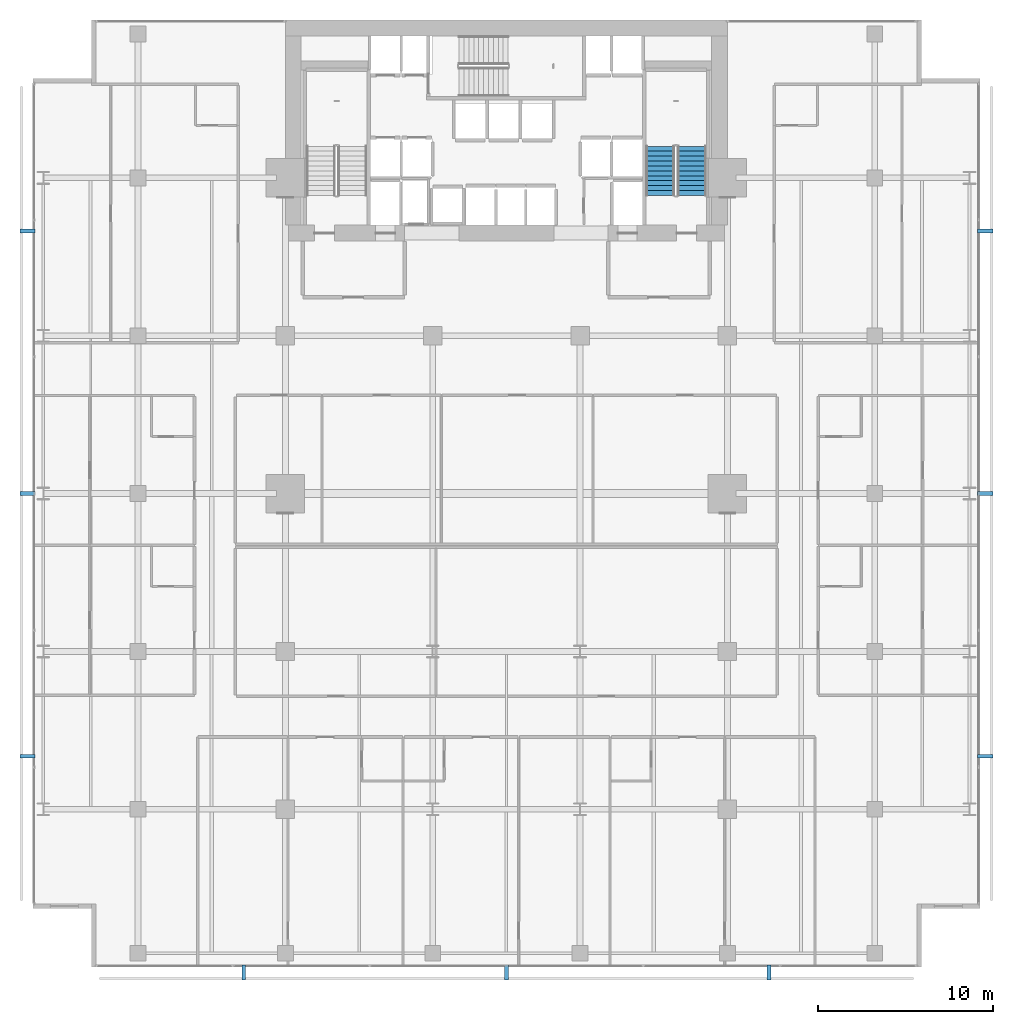
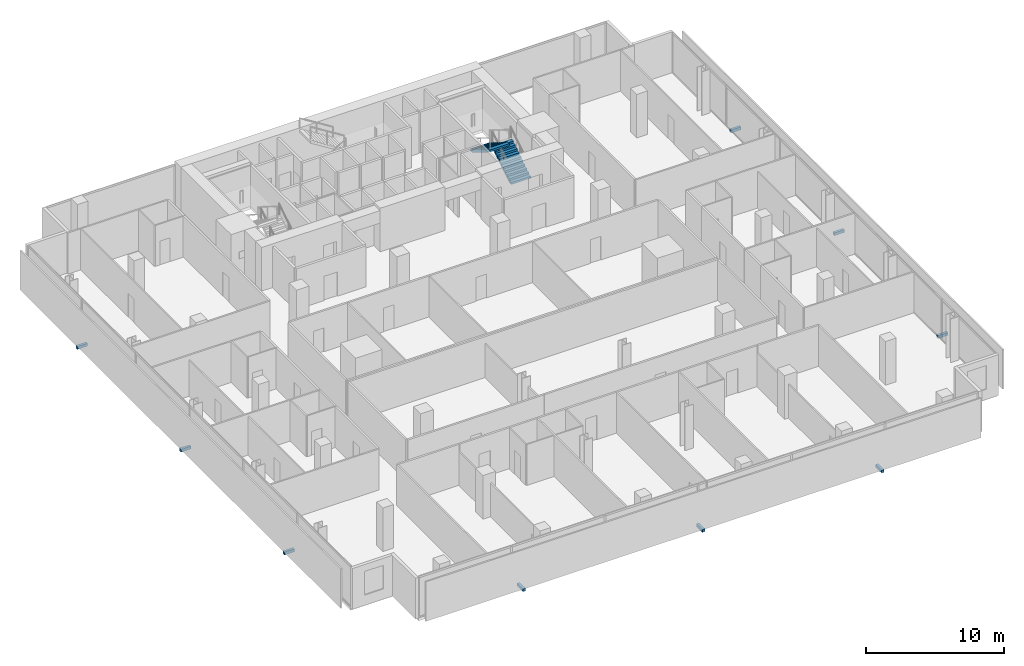
# One storey, part 37 of 39: 9 discrete accessories, 2 stair flights, 1 element without a shape of its own.
"""IFC4 building model written with IfcOpenShell, lengths in metres."""

from ifc_helpers import new_model, si_unit, direction, frame, origin, origin_2d, place, context, subcontext, project, spatial, polyline, rectangle, outline, extrude, material, type_object, element, aggregate, save


model = new_model("IFC4")

# Units and contexts
model_context = context("Model", 3, precision=1e-05, world=origin(), true_north=direction((0.0, 1.0)))
body_context = subcontext(model_context, "Body", "Model", "MODEL_VIEW")
ifc_project = project(units=[si_unit("LENGTHUNIT", "METRE"), si_unit("AREAUNIT", "SQUARE_METRE"), si_unit("VOLUMEUNIT", "CUBIC_METRE"), si_unit("PLANEANGLEUNIT", "RADIAN"), si_unit("MASSUNIT", "GRAM", prefix="KILO")], contexts=[model_context])

# Site, building, storey
site_placement = place(None, origin())
site = spatial("IfcSite", under=ifc_project, at=site_placement, CompositionType="ELEMENT")
building_placement = place(site_placement, origin())
building = spatial("IfcBuilding", under=site, at=building_placement, Name="Maruvema Waterfront Hotel and Observation Tower", CompositionType="ELEMENT")
storey_placement = place(building_placement, frame((0.0, 0.0, 69.300048828125)))
storey = spatial("IfcBuildingStorey", under=building, at=storey_placement, Name="L16", CompositionType="ELEMENT", Elevation=69.300048828125)

# Stair, stair flights
ifc_material_1 = material(Name="Concrete C50/60", Category="concrete")
stair_type = type_object("IfcStairType", Name="Dogleg Exit Stair 1650 mm (22R x 175.0 mm)", PredefinedType="HALF_TURN_STAIR", material=ifc_material_1)
stair_placement = place(storey_placement, origin())
stair = element("IfcStair", 1, at=stair_placement, inside=storey, type_object=stair_type, Name="L16 ST-03", PredefinedType="HALF_TURN_STAIR")
ifc_material_2 = material(Name="Concrete C50/60", Category="concrete")
stair_flight_type = type_object("IfcStairFlightType", Name="Reinforced Concrete Stair Flight 1650 mm (11R x 175.0 mm)", PredefinedType="STRAIGHT", material=ifc_material_2)
stair_flight_1_placement = place(storey_placement, frame((48.375, 44.0, 0.0), z_axis=(0.0, 0.0, 1.0), x_axis=(0.0, 1.0, 0.0)))
stair_flight_1 = element("IfcStairFlight", 2, at=stair_flight_1_placement, type_object=stair_flight_type, Name="ST-03 flight 1", NumberOfRisers=11, NumberOfTreads=10, PredefinedType="STRAIGHT", RiserHeight=0.175, TreadLength=0.28, context=body_context, shape_type="SweptSolid", body=[
    extrude(outline(polyline([(0.0, 0.0), (0.0, 0.175048828125), (0.280029296875, 0.175048828125), (0.280029296875, 0.35009765625), (0.56005859375, 0.35009765625), (0.56005859375, 0.52490234375), (0.840087890625, 0.52490234375), (0.840087890625, 0.699951171875), (1.1201171875, 0.699951171875), (1.1201171875, 0.875), (1.39990234375, 0.875), (1.39990234375, 1.050048828125), (1.679931640625, 1.050048828125), (1.679931640625, 1.22509765625), (1.9599609375, 1.22509765625), (1.9599609375, 1.39990234375), (2.239990234375, 1.39990234375), (2.239990234375, 1.574951171875), (2.52001953125, 1.574951171875), (2.52001953125, 1.75), (2.800048828125, 1.75), (2.800048828125, 1.925048828125), (2.800048828125, 1.5732421875), (0.28271484375, 0.0), (0.0, 0.0)])), frame((0.0, 0.824951171875, 0.0), z_axis=(0.0, -1.0, 0.0), x_axis=(1.0, 0.0, 0.0)), (0.0, 0.0, 1.0), 1.64990234375),
])
stair_flight_2_placement = place(storey_placement, frame((46.574951171875, 46.800048828125, 1.925048828125), z_axis=(0.0, 0.0, 1.0), x_axis=(0.0, -1.0, 0.0)))
stair_flight_2 = element("IfcStairFlight", 3, at=stair_flight_2_placement, type_object=stair_flight_type, Name="ST-03 flight 2", NumberOfRisers=11, NumberOfTreads=10, PredefinedType="STRAIGHT", RiserHeight=0.175, TreadLength=0.28, context=body_context, shape_type="SweptSolid", body=[
    extrude(outline(polyline([(0.0, 0.0), (0.0, 0.175048828125), (0.280029296875, 0.175048828125), (0.280029296875, 0.35009765625), (0.56005859375, 0.35009765625), (0.56005859375, 0.52490234375), (0.840087890625, 0.52490234375), (0.840087890625, 0.699951171875), (1.1201171875, 0.699951171875), (1.1201171875, 0.875), (1.39990234375, 0.875), (1.39990234375, 1.050048828125), (1.679931640625, 1.050048828125), (1.679931640625, 1.22509765625), (1.9599609375, 1.22509765625), (1.9599609375, 1.39990234375), (2.239990234375, 1.39990234375), (2.239990234375, 1.574951171875), (2.52001953125, 1.574951171875), (2.52001953125, 1.75), (2.800048828125, 1.75), (2.800048828125, 1.925048828125), (2.800048828125, 1.5732421875), (0.28271484375, 0.0), (0.0, 0.0)])), frame((0.0, 0.824951171875, 0.0), z_axis=(0.0, -1.0, 0.0), x_axis=(1.0, 0.0, 0.0)), (0.0, 0.0, 1.0), 1.64990234375),
])
aggregate(stair, [stair_flight_1, stair_flight_2])

# Discrete accessories
ifc_material_3 = material(Name="Duplex stainless steel Grade 2205", Category="steel")
discrete_accessory_type = type_object("IfcDiscreteAccessoryType", Name="Double-Skin Cavity Stainless Outrigger Bracket", PredefinedType="BRACKET", material=ifc_material_3)
for number, where, z_axis, x_axis, name in (
    (4, (22.823974609375, -0.300048828125, -0.14013671875), (0.0, 0.0, 1.0), (1.0, 0.0, 0.0), "L16 Outer Skin Support Bracket 1"),
    (5, (37.800048828125, -0.300048828125, -0.14013671875), (0.0, 0.0, 1.0), (1.0, 0.0, 0.0), "L16 Outer Skin Support Bracket 2"),
    (6, (52.77587890625, -0.300048828125, -0.14013671875), (0.0, 0.0, 1.0), (1.0, 0.0, 0.0), "L16 Outer Skin Support Bracket 3"),
    (7, (65.10009765625, 12.02392578125, -0.14013671875), (0.0, 0.0, 1.0), (0.0, 1.0, 0.0), "L16 Outer Skin Support Bracket 1"),
    (8, (65.10009765625, 27.0, -0.14013671875), (0.0, 0.0, 1.0), (0.0, 1.0, 0.0), "L16 Outer Skin Support Bracket 2"),
    (9, (65.10009765625, 41.97607421875, -0.14013671875), (0.0, 0.0, 1.0), (0.0, 1.0, 0.0), "L16 Outer Skin Support Bracket 3"),
    (10, (10.5, 41.97607421875, -0.14013671875), (0.0, 0.0, 1.0), (0.0, -1.0, 0.0), "L16 Outer Skin Support Bracket 1"),
    (11, (10.5, 27.0, -0.14013671875), (0.0, 0.0, 1.0), (0.0, -1.0, 0.0), "L16 Outer Skin Support Bracket 2"),
    (12, (10.5, 12.02392578125, -0.14013671875), (0.0, 0.0, 1.0), (0.0, -1.0, 0.0), "L16 Outer Skin Support Bracket 3"),
):
    element("IfcDiscreteAccessory", number, at=place(storey_placement, frame(where, z_axis=z_axis, x_axis=x_axis)), inside=storey, type_object=discrete_accessory_type, Name=name, PredefinedType="BRACKET", context=body_context, shape_type="SweptSolid", body=[
        extrude(rectangle(XDim=0.219970703125, YDim=0.860107421875, at=origin_2d()), origin(), (0.0, 0.0, 1.0), 0.239990234375),
    ])

save(model, "model.ifc")
